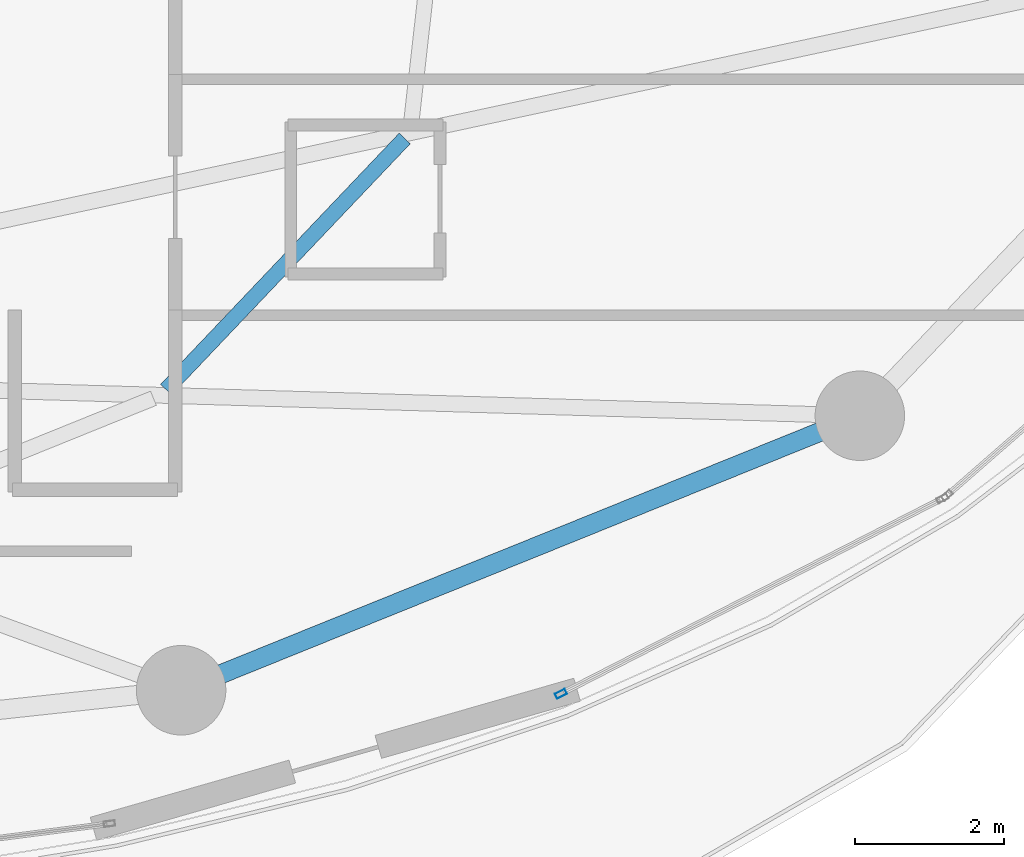
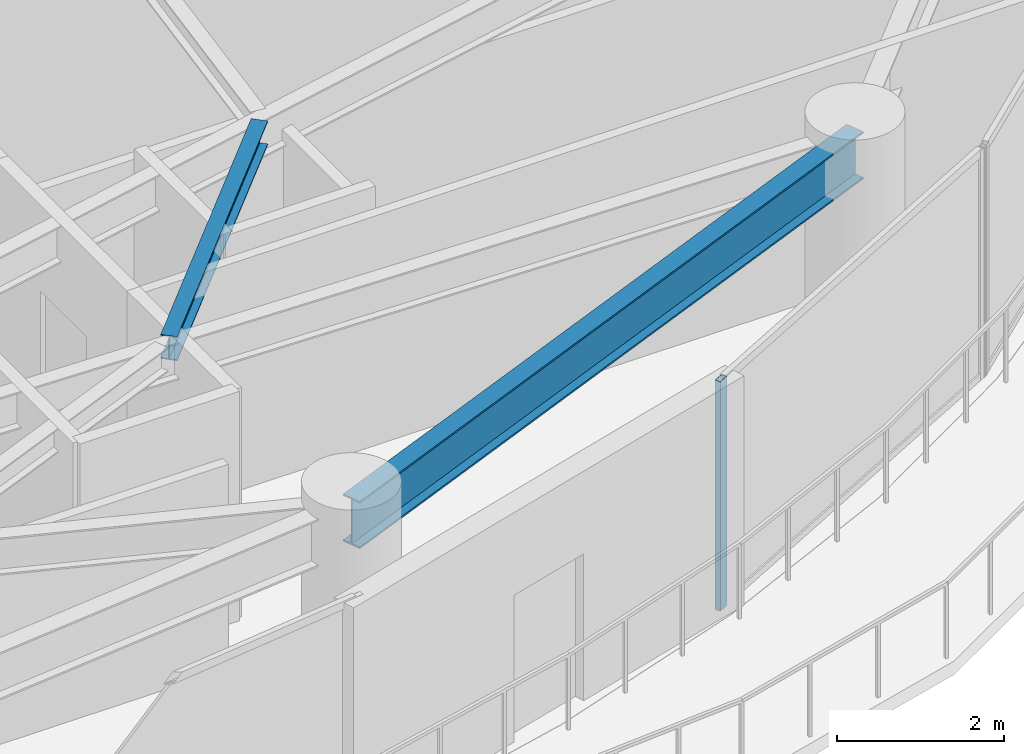
# One storey, part 11 of 31: 2 beams, 1 member, 1 element without a shape of its own.
"""IFC4 building model written with IfcOpenShell, lengths in metres."""

import ifcopenshell
import ifcopenshell.guid

model = None  # the IFC model being written
_history = None  # IfcOwnerHistory: only IFC2X3 demands one
_inside = {}  # id of a spatial element -> (the spatial element, [elements in it])
_under = {}  # id of a project, library or spatial element -> (it, [spatial elements below it])
_declared = {}  # id of a project -> (the project, [libraries it declares])
_typed = {}  # id of a type object -> (the type object, [elements of that type])
_made_of = {}  # id of a material, layer set ... -> (it, [elements and type objects made of it])


def new_model(schema):
    """Start an empty IFC model of exactly this schema.

    Asked for "IFC4X3", IfcOpenShell would pick the latest addendum, in which some entities
    have other attributes; the version numbers below select the first issue.
    IFC2X3 requires an IfcOwnerHistory on every rooted entity: one is made here for all.
    """
    global model, _history
    if schema == "IFC4X3":
        model = ifcopenshell.file(schema_version=(4, 3, 0, 0))
    else:
        model = ifcopenshell.file(schema=schema)
    _inside.clear()
    _under.clear()
    _declared.clear()
    _typed.clear()
    _made_of.clear()
    _history = None
    if model.schema == "IFC2X3":
        org = make("IfcOrganization", Name="unknown")
        user = make(
            "IfcPersonAndOrganization",
            ThePerson=make("IfcPerson", FamilyName="unknown"),
            TheOrganization=org,
        )
        app = make(
            "IfcApplication",
            ApplicationDeveloper=org,
            Version="unknown",
            ApplicationFullName="unknown",
            ApplicationIdentifier="unknown",
        )
        _history = make(
            "IfcOwnerHistory",
            OwningUser=user,
            OwningApplication=app,
            ChangeAction="ADDED",
            CreationDate=0,
        )
    return model


def make(cls, **values):
    """One entity of the class cls with the attributes given. An attribute that is None is left unset."""
    return model.create_entity(
        cls, **{name: value for name, value in values.items() if value is not None}
    )


def rooted(cls, **values):
    """An entity with a GlobalId (a new one), such as an element, a storey or a relation."""
    return make(cls, GlobalId=ifcopenshell.guid.new(), OwnerHistory=_history, **values)


def si_unit(unit_type, name, prefix=None):
    """IfcSIUnit, for example si_unit("LENGTHUNIT", "METRE", prefix="MILLI")."""
    return make("IfcSIUnit", UnitType=unit_type, Prefix=prefix, Name=name)


def assignment(units):
    """IfcUnitAssignment: the units of a project."""
    return None if units is None else make("IfcUnitAssignment", Units=units)


def point(xyz):
    """IfcCartesianPoint."""
    return None if xyz is None else make("IfcCartesianPoint", Coordinates=xyz)


def direction(xyz):
    """IfcDirection."""
    return None if xyz is None else make("IfcDirection", DirectionRatios=xyz)


def frame(location, z_axis=None, x_axis=None):
    """IfcAxis2Placement3D, a coordinate frame: its origin and axes. An axis left out is left unset."""
    return make(
        "IfcAxis2Placement3D",
        Location=point(location),
        Axis=direction(z_axis),
        RefDirection=direction(x_axis),
    )


def frame_2d(location, x_axis=None):
    """IfcAxis2Placement2D, a coordinate frame in the plane: its origin and x axis."""
    return make(
        "IfcAxis2Placement2D", Location=point(location), RefDirection=direction(x_axis)
    )


def origin():
    """The frame at (0, 0, 0) with its axes left unset."""
    return frame((0.0, 0.0, 0.0))


def origin_2d():
    """The frame at (0, 0) in the plane with its x axis left unset."""
    return frame_2d((0.0, 0.0))


def place(relative_to, where):
    """IfcLocalPlacement: puts the frame where relative to a parent placement (None: the world)."""
    return make(
        "IfcLocalPlacement", PlacementRelTo=relative_to, RelativePlacement=where
    )


def context(
    kind, dimensions, precision=None, world=None, true_north=None, identifier=None
):
    """IfcGeometricRepresentationContext, for example the 3D "Model" context."""
    return make(
        "IfcGeometricRepresentationContext",
        ContextIdentifier=identifier,
        ContextType=kind,
        CoordinateSpaceDimension=dimensions,
        Precision=precision,
        WorldCoordinateSystem=world,
        TrueNorth=true_north,
    )


def subcontext(parent, identifier, kind, view, scale=None):
    """IfcGeometricRepresentationSubContext, for example "Body" below "Model"."""
    return make(
        "IfcGeometricRepresentationSubContext",
        ContextIdentifier=identifier,
        ContextType=kind,
        ParentContext=parent,
        TargetScale=scale,
        TargetView=view,
    )


def project(units=None, contexts=None):
    """IfcProject with its units and contexts."""
    return rooted(
        "IfcProject",
        Name="project",
        RepresentationContexts=contexts,
        UnitsInContext=assignment(units),
    )


def spatial(cls, under=None, at=None, **own):
    """A site, building, storey or space (cls), placed at a placement, below another one or the project."""
    s = rooted(cls, ObjectPlacement=at, **own)
    if under is not None:
        _under.setdefault(under.id(), (under, []))[1].append(s)
    return s


def profile(cls, at=None, kind="AREA", **sizes):
    """A parametric profile (cls). Its sizes go by their IFC names, for example OverallWidth=200.0."""
    return make(cls, ProfileType=kind, Position=at, **sizes)


def hollow_rectangle(**sizes):
    """IfcRectangleHollowProfileDef."""
    return profile("IfcRectangleHollowProfileDef", **sizes)


def i_section(**sizes):
    """IfcIShapeProfileDef."""
    return profile("IfcIShapeProfileDef", **sizes)


def extrude(swept, where, along, depth):
    """IfcExtrudedAreaSolid: the profile swept, set in the frame where, extruded along a direction by depth."""
    return make(
        "IfcExtrudedAreaSolid",
        SweptArea=swept,
        Position=where,
        ExtrudedDirection=direction(along),
        Depth=depth,
    )


def shape(context_of_items, identifier, shape_type, items):
    """IfcShapeRepresentation: the items that make up one representation, for example the "Body"."""
    return make(
        "IfcShapeRepresentation",
        ContextOfItems=context_of_items,
        RepresentationIdentifier=identifier,
        RepresentationType=shape_type,
        Items=items,
    )


def material(Name=None, Category=None):
    """IfcMaterial."""
    return make("IfcMaterial", Name=Name, Category=Category)


def layer(
    of_material, thickness, ventilated=None, Name=None, Category=None, Priority=None
):
    """IfcMaterialLayer: one layer of a wall or slab, of a material (None: an air gap)."""
    return make(
        "IfcMaterialLayer",
        Material=of_material,
        LayerThickness=thickness,
        IsVentilated=ventilated,
        Name=Name,
        Category=Category,
        Priority=Priority,
    )


def layer_set(layers, Name=None):
    """IfcMaterialLayerSet."""
    return make("IfcMaterialLayerSet", MaterialLayers=layers, LayerSetName=Name)


def material_profile(
    of_material, cross_section, Name=None, Category=None, Priority=None
):
    """IfcMaterialProfile: a cross section and its material."""
    return make(
        "IfcMaterialProfile",
        Name=Name,
        Material=of_material,
        Profile=cross_section,
        Priority=Priority,
        Category=Category,
    )


def profile_set(profiles, Name=None, composite=None):
    """IfcMaterialProfileSet."""
    return make(
        "IfcMaterialProfileSet",
        Name=Name,
        MaterialProfiles=profiles,
        CompositeProfile=composite,
    )


def made_of(thing, what):
    """Note that an element or type object is made of a material, layer set ...; save() writes the relation."""
    if what is not None:
        _made_of.setdefault(what.id(), (what, []))[1].append(thing)
    return thing


def type_object(cls, material=None, **own):
    """A type object (cls), such as IfcWallType, which elements share."""
    return made_of(rooted(cls, **own), material)


def element(
    cls,
    number,
    at=None,
    inside=None,
    cuts=None,
    type_object=None,
    material=None,
    context=None,
    identifier="Body",
    shape_type=None,
    held_by="IfcProductDefinitionShape",
    body=None,
    shapes=None,
    **own,
):
    """One element of the class cls, such as IfcWall. Its Tag is "e" and its number.

    at: its placement. inside: the storey or other place that contains it. cuts: it is an
    opening in that element (IfcRelVoidsElement). A single representation is given by context,
    identifier, shape_type and body (its items); several are given by shapes. held_by: the class
    of the entity that holds the representations. save() writes the other relations.
    """
    e = rooted(cls, Tag="e%d" % number, ObjectPlacement=at, **own)
    if body is not None:
        shapes = [shape(context, identifier, shape_type, body)]
    if shapes is not None:
        e.Representation = make(held_by, Representations=shapes)
    if inside is not None:
        _inside.setdefault(inside.id(), (inside, []))[1].append(e)
    if cuts is not None:
        rooted(
            "IfcRelVoidsElement", RelatingBuildingElement=cuts, RelatedOpeningElement=e
        )
    if type_object is not None:
        _typed.setdefault(type_object.id(), (type_object, []))[1].append(e)
    return made_of(e, material)


def aggregate(whole, parts):
    """IfcRelAggregates: a whole, such as a stair, and the parts it consists of."""
    return rooted("IfcRelAggregates", RelatingObject=whole, RelatedObjects=parts)


def save(model, path):
    """Write the relations noted so far, then the file.

    IfcRelAggregates (storeys below a building ...), IfcRelContainedInSpatialStructure (elements
    in a storey), IfcRelDefinesByType, IfcRelAssociatesMaterial and IfcRelDeclares: one each for
    every whole, place, type object, material and project.
    """
    for whole, parts in _under.values():
        aggregate(whole, parts)
    for where, things in _inside.values():
        rooted(
            "IfcRelContainedInSpatialStructure",
            RelatedElements=things,
            RelatingStructure=where,
        )
    for kind, things in _typed.values():
        rooted("IfcRelDefinesByType", RelatedObjects=things, RelatingType=kind)
    for what, things in _made_of.values():
        rooted("IfcRelAssociatesMaterial", RelatedObjects=things, RelatingMaterial=what)
    for by, libraries in _declared.values():
        rooted("IfcRelDeclares", RelatingContext=by, RelatedDefinitions=libraries)
    model.write(path)


model = new_model("IFC4")

# Units and contexts
model_context = context("Model", 3, precision=1e-05, world=origin(), true_north=direction((0.0, 1.0)))
body_context = subcontext(model_context, "Body", "Model", "MODEL_VIEW")
ifc_project = project(units=[si_unit("LENGTHUNIT", "METRE"), si_unit("AREAUNIT", "SQUARE_METRE"), si_unit("VOLUMEUNIT", "CUBIC_METRE"), si_unit("PLANEANGLEUNIT", "RADIAN"), si_unit("MASSUNIT", "GRAM", prefix="KILO")], contexts=[model_context])

# Site, building, storey
site_placement = place(None, origin())
site = spatial("IfcSite", under=ifc_project, at=site_placement, CompositionType="ELEMENT")
building_placement = place(site_placement, origin())
building = spatial("IfcBuilding", under=site, at=building_placement, Name="Kazevale Care Tower and Concert Hall", CompositionType="ELEMENT")
storey_placement = place(building_placement, frame((0.0, 0.0, 117.0)))
storey = spatial("IfcBuildingStorey", under=building, at=storey_placement, Name="L30", CompositionType="ELEMENT", Elevation=117.0)

# Curtain wall, member
ifc_material_1 = material(Name="Aluminium 6063-T6 and Low-E Glass", Category="aluminium")
ifc_layer = layer(ifc_material_1, 0.179931640625)
ifc_layer_set = layer_set([ifc_layer], Name="Aluminium 6063-T6 and Low-E Glass")
curtain_wall_type = type_object("IfcCurtainWallType", Name="Sheltered Concave Balcony Curtain Wall CW-5", PredefinedType="NOTDEFINED", material=ifc_layer_set)
curtain_wall_placement = place(storey_placement, origin())
curtain_wall = element("IfcCurtainWall", 1, at=curtain_wall_placement, inside=storey, type_object=curtain_wall_type, Name="cw:L30:f03", PredefinedType="NOTDEFINED")
ifc_material_2 = material(Name="Aluminium 6063-T6", Category="aluminium")
ifc_material_profile_1 = material_profile(ifc_material_2, hollow_rectangle(XDim=0.074951171875, YDim=0.14990234375, WallThickness=0.00390625, at=origin_2d()), Name="ALU75x150x4")
ifc_profile_set_1 = profile_set([ifc_material_profile_1], Name="Aluminium 6063-T6")
member_type = type_object("IfcMemberType", Name="CW-5 Mullion ALU75x150x4", PredefinedType="MULLION", material=ifc_profile_set_1)
member_placement = place(storey_placement, frame((60.822265625, 19.26220703125, 0.0), z_axis=(0.0, 0.0, 1.0), x_axis=(0.455713236575, -0.890126646051, 0.0)))
member = element("IfcMember", 2, at=member_placement, type_object=member_type, Name="CW-5 mullion 2", PredefinedType="MULLION", context=body_context, shape_type="SweptSolid", body=[
    extrude(hollow_rectangle(XDim=0.074951171875, YDim=0.14990234375, WallThickness=0.00390625, at=origin_2d()), origin(), (0.0, 0.0, 1.0), 3.360107421875),
])
aggregate(curtain_wall, [member])

# Beams
ifc_material_3 = material(Name="Steel ASTM A572 Gr 50", Category="steel")
ifc_material_profile_2 = material_profile(ifc_material_3, i_section(OverallWidth=0.205078125, OverallDepth=0.35400390625, WebThickness=0.009521484375, FlangeThickness=0.016845703125, at=origin_2d()), Name="W360x79")
ifc_profile_set_2 = profile_set([ifc_material_profile_2], Name="Steel ASTM A572 Gr 50")
beam_type_1 = type_object("IfcBeamType", Name="Secondary Floor Joist W360x79", PredefinedType="JOIST", material=ifc_profile_set_2)
beam_1_placement = place(storey_placement, frame((55.529052734375, 23.341064453125, 3.18310546875), z_axis=(0.688792288395, 0.724958746032, 0.0), x_axis=(-0.724958746032, 0.688792288395, 0.0)))
element("IfcBeam", 3, at=beam_1_placement, inside=storey, type_object=beam_type_1, Name="beam:L30:joist:15", PredefinedType="JOIST", context=body_context, shape_type="SweptSolid", body=[
    extrude(i_section(OverallWidth=0.205078125, OverallDepth=0.35400390625, WebThickness=0.009521484375, FlangeThickness=0.016845703125, at=origin_2d()), origin(), (0.0, 0.0, 1.0), 4.644287109375),
])
ifc_material_profile_3 = material_profile(ifc_material_3, i_section(OverallWidth=0.256103515625, OverallDepth=0.693115234375, WebThickness=0.014404296875, FlangeThickness=0.023681640625, at=origin_2d()), Name="W690x170")
ifc_profile_set_3 = profile_set([ifc_material_profile_3], Name="Steel ASTM A572 Gr 50")
beam_type_2 = type_object("IfcBeamType", Name="Waist Ring Beam W690x170", PredefinedType="BEAM", material=ifc_profile_set_3)
beam_2_placement = place(storey_placement, frame((55.72998046875, 19.31005859375, 3.013427734375), z_axis=(0.927068687828, 0.374891515041, 0.0), x_axis=(-0.374891515041, 0.927068687828, 0.0)))
element("IfcBeam", 4, at=beam_2_placement, inside=storey, type_object=beam_type_2, Name="beam:L30:ring:14", PredefinedType="BEAM", context=body_context, shape_type="SweptSolid", body=[
    extrude(i_section(OverallWidth=0.256103515625, OverallDepth=0.693115234375, WebThickness=0.014404296875, FlangeThickness=0.023681640625, at=origin_2d()), origin(), (0.0, 0.0, 1.0), 9.81591796875),
])

save(model, "model.ifc")
